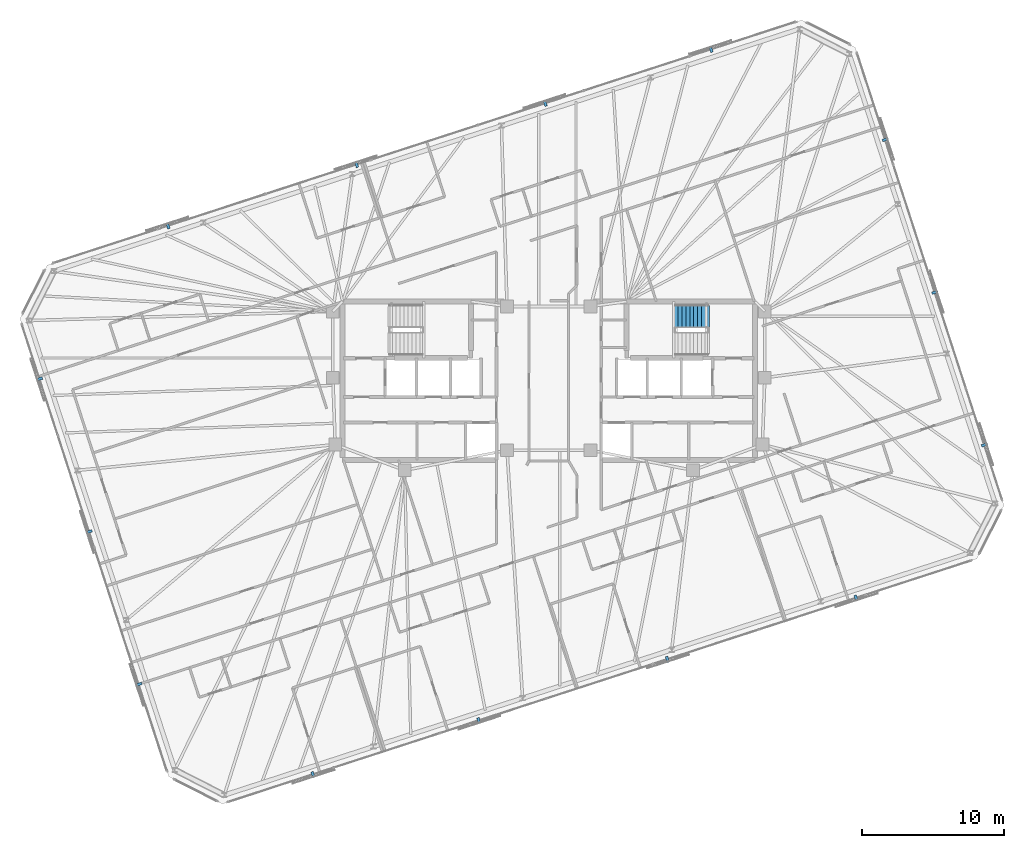
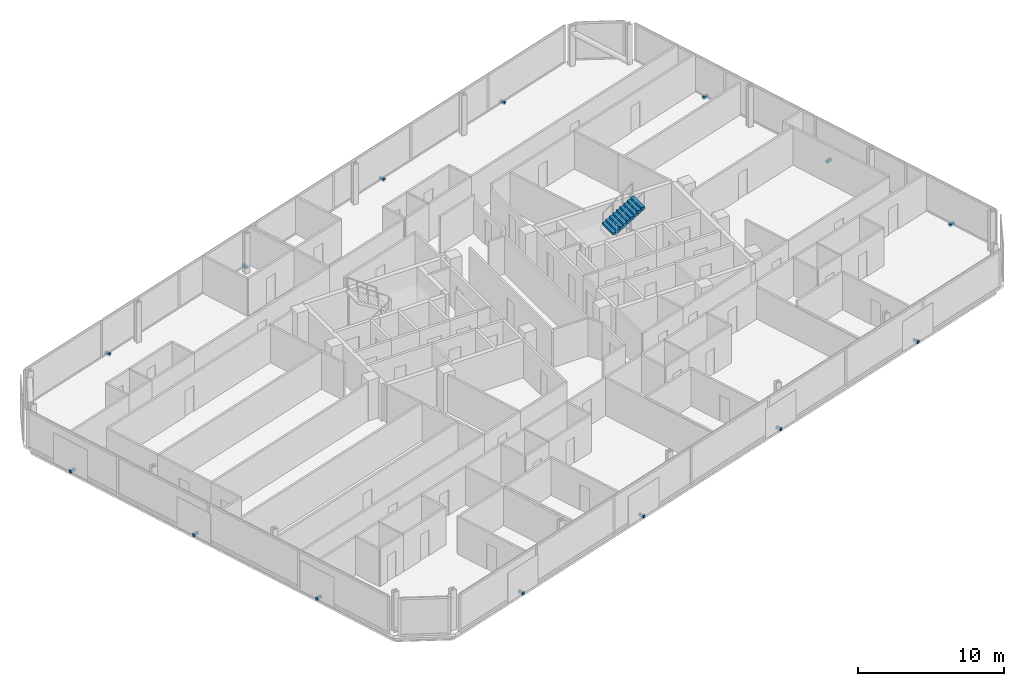
# One storey, part 18 of 19: 14 discrete accessories, 1 stair flight, 1 element without a shape of its own.
"""IFC4 building model written with IfcOpenShell, lengths in metres."""

from ifc_helpers import new_model, si_unit, direction, frame, origin, origin_2d, place, context, subcontext, project, spatial, polyline, rectangle, outline, extrude, material, type_object, element, aggregate, save


model = new_model("IFC4")

# Units and contexts
model_context = context("Model", 3, precision=1e-05, world=origin(), true_north=direction((0.0, 1.0)))
body_context = subcontext(model_context, "Body", "Model", "MODEL_VIEW")
ifc_project = project(units=[si_unit("LENGTHUNIT", "METRE"), si_unit("AREAUNIT", "SQUARE_METRE"), si_unit("VOLUMEUNIT", "CUBIC_METRE"), si_unit("PLANEANGLEUNIT", "RADIAN"), si_unit("MASSUNIT", "GRAM", prefix="KILO")], contexts=[model_context])

# Site, building, storey
site_placement = place(None, origin())
site = spatial("IfcSite", under=ifc_project, at=site_placement, CompositionType="ELEMENT")
building_placement = place(site_placement, origin())
building = spatial("IfcBuilding", under=site, at=building_placement, Name="Menara Jurai Vektor", CompositionType="ELEMENT")
storey_placement = place(building_placement, frame((0.0, 0.0, 241.050048828125)))
storey = spatial("IfcBuildingStorey", under=building, at=storey_placement, Name="L64", CompositionType="ELEMENT", Elevation=241.050048828125)

# Stair, stair flight
ifc_material_1 = material(Name="Concrete C40/50", Category="concrete")
stair_type = type_object("IfcStairType", Name="STAIR-DOGLEG-1500", PredefinedType="HALF_TURN_STAIR", material=ifc_material_1)
stair_placement = place(storey_placement, origin())
stair = element("IfcStair", 1, at=stair_placement, inside=storey, type_object=stair_type, Name="Protected Exit Stair ST2 L64", PredefinedType="HALF_TURN_STAIR")
stair_flight_type = type_object("IfcStairFlightType", Name="STAIR-FLIGHT-1500", PredefinedType="STRAIGHT", material=ifc_material_1)
stair_flight_placement = place(storey_placement, frame((8.830078125, 4.550048828125, 1.675048828125), z_axis=(0.0, 0.0, 1.0), x_axis=(1.0, 0.0, 0.0)))
stair_flight = element("IfcStairFlight", 2, at=stair_flight_placement, type_object=stair_flight_type, Name="ST2 flight 2", NumberOfRisers=10, NumberOfTreads=9, PredefinedType="STRAIGHT", RiserHeight=0.1675, TreadLength=0.28, context=body_context, shape_type="SweptSolid", body=[
    extrude(outline(polyline([(0.0, 0.0), (0.0, 0.16748046875), (0.280029296875, 0.16748046875), (0.280029296875, 0.3349609375), (0.56005859375, 0.3349609375), (0.56005859375, 0.50244140625), (0.840087890625, 0.50244140625), (0.840087890625, 0.669921875), (1.1201171875, 0.669921875), (1.1201171875, 0.83740234375), (1.39990234375, 0.83740234375), (1.39990234375, 1.0048828125), (1.679931640625, 1.0048828125), (1.679931640625, 1.172607421875), (1.9599609375, 1.172607421875), (1.9599609375, 1.340087890625), (2.239990234375, 1.340087890625), (2.239990234375, 1.507568359375), (2.52001953125, 1.507568359375), (2.52001953125, 1.675048828125), (2.52001953125, 1.321044921875), (0.3115234375, 0.0), (0.0, 0.0)])), frame((0.0, 0.75, 0.0), z_axis=(0.0, -1.0, 0.0), x_axis=(1.0, 0.0, 0.0)), (0.0, 0.0, 1.0), 1.5),
])
aggregate(stair, [stair_flight])

# Discrete accessories
ifc_material_2 = material(Name="Steel S355", Category="steel")
discrete_accessory_type = type_object("IfcDiscreteAccessoryType", Name="ENV-ACC-BRACKET", PredefinedType="BRACKET", material=ifc_material_2)
for number, where, z_axis, x_axis, name in (
    (3, (-16.655029296875, -27.806396484375, -0.1298828125), (0.0, 0.0, 1.0), (0.951056516295, 0.309016994375, 0.0), "Solar Screen Stand-Off Bracket L64-S01"),
    (4, (-4.93798828125, -23.99951171875, -0.1298828125), (0.0, 0.0, 1.0), (0.951056516295, 0.309016994375, 0.0), "Solar Screen Stand-Off Bracket L64-S02"),
    (5, (8.376708984375, -19.673095703125, -0.1298828125), (0.0, 0.0, 1.0), (0.951056516295, 0.309016994375, 0.0), "Solar Screen Stand-Off Bracket L64-S03"),
    (6, (21.69140625, -15.346923828125, -0.1298828125), (0.0, 0.0, 1.0), (0.951056516295, 0.309016994375, 0.0), "Solar Screen Stand-Off Bracket L64-S04"),
    (7, (30.76220703125, -4.527587890625, -0.1298828125), (0.0, 0.0, 1.0), (-0.309016994375, 0.951056516295, 0.0), "Solar Screen Stand-Off Bracket L64-S05"),
    (8, (27.260009765625, 6.2509765625, -0.1298828125), (0.0, 0.0, 1.0), (-0.309016994375, 0.951056516295, 0.0), "Solar Screen Stand-Off Bracket L64-S06"),
    (9, (23.7578125, 17.029541015625, -0.1298828125), (0.0, 0.0, 1.0), (-0.309016994375, 0.951056516295, 0.0), "Solar Screen Stand-Off Bracket L64-S07"),
    (10, (11.455078125, 23.406494140625, -0.1298828125), (0.0, 0.0, 1.0), (-0.951056516295, -0.309016994375, 0.0), "Solar Screen Stand-Off Bracket L64-S08"),
    (11, (-0.261962890625, 19.599365234375, -0.1298828125), (0.0, 0.0, 1.0), (-0.951056516295, -0.309016994375, 0.0), "Solar Screen Stand-Off Bracket L64-S09"),
    (12, (-13.576904296875, 15.273193359375, -0.1298828125), (0.0, 0.0, 1.0), (-0.951056516295, -0.309016994375, 0.0), "Solar Screen Stand-Off Bracket L64-S10"),
    (13, (-26.8916015625, 10.947021484375, -0.1298828125), (0.0, 0.0, 1.0), (-0.951056516295, -0.309016994375, 0.0), "Solar Screen Stand-Off Bracket L64-S11"),
    (14, (-35.962158203125, 0.127685546875, -0.1298828125), (0.0, 0.0, 1.0), (0.309016994375, -0.951056516295, 0.0), "Solar Screen Stand-Off Bracket L64-S12"),
    (15, (-32.4599609375, -10.65087890625, -0.1298828125), (0.0, 0.0, 1.0), (0.309016994375, -0.951056516295, 0.0), "Solar Screen Stand-Off Bracket L64-S13"),
    (16, (-28.957763671875, -21.429443359375, -0.1298828125), (0.0, 0.0, 1.0), (0.309016994375, -0.951056516295, 0.0), "Solar Screen Stand-Off Bracket L64-S14"),
):
    element("IfcDiscreteAccessory", number, at=place(storey_placement, frame(where, z_axis=z_axis, x_axis=x_axis)), inside=storey, type_object=discrete_accessory_type, Name=name, PredefinedType="BRACKET", context=body_context, shape_type="SweptSolid", body=[
        extrude(rectangle(XDim=0.179931640625, YDim=0.43994140625, at=origin_2d()), origin(), (0.0, 0.0, 1.0), 0.219970703125),
    ])

save(model, "model.ifc")
